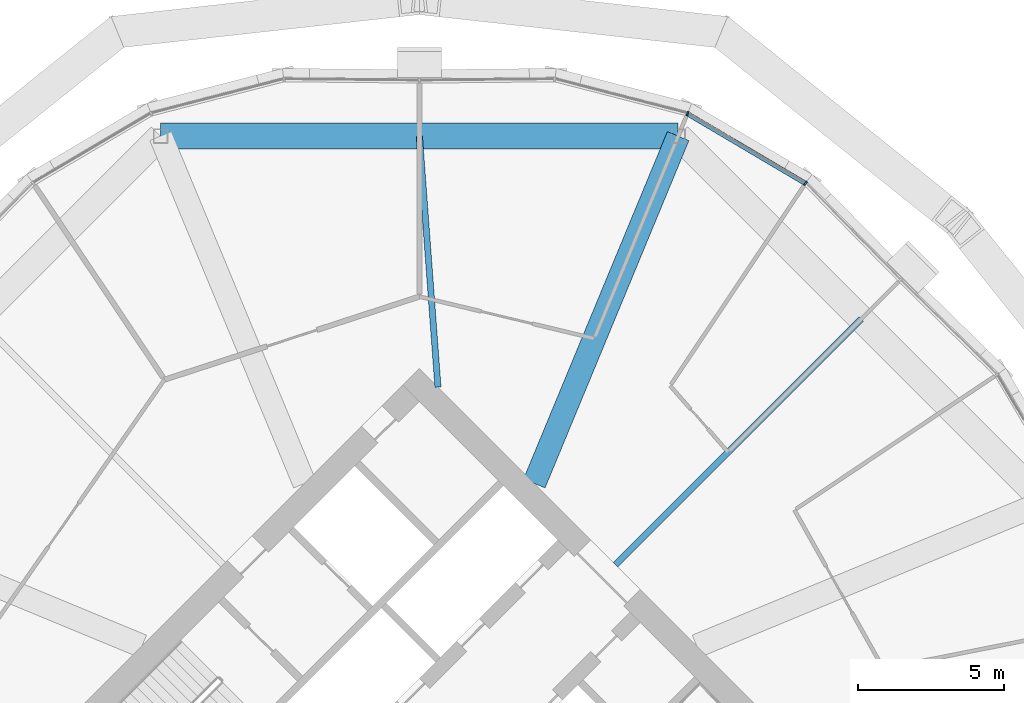
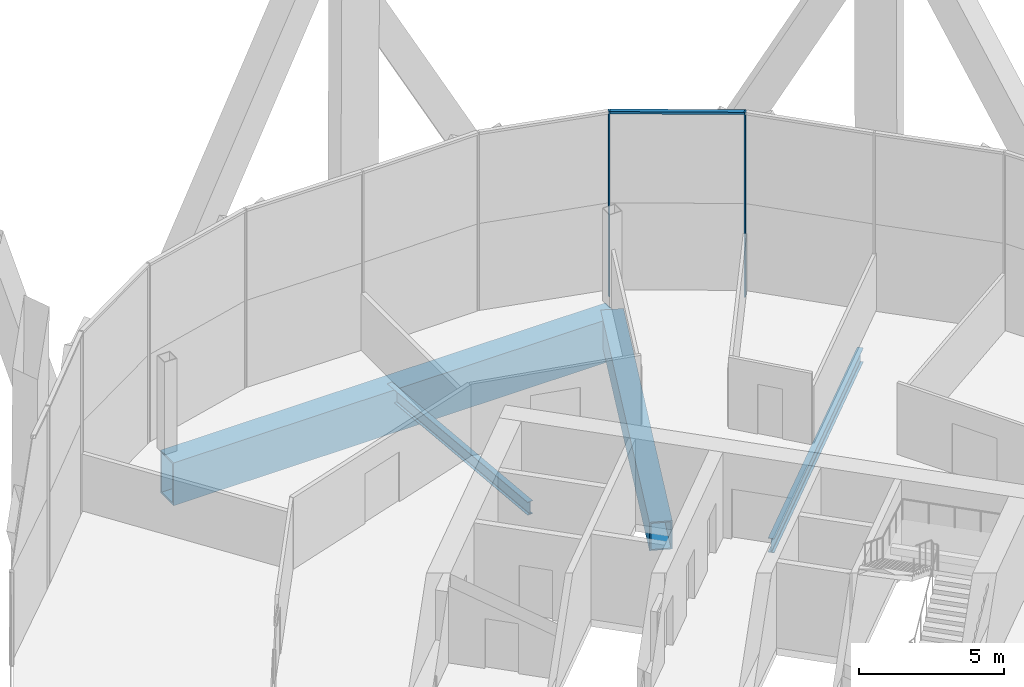
# One storey, part 15 of 30: 4 beams, 3 members, 1 element without a shape of its own.
"""IFC4 building model written with IfcOpenShell, lengths in metres."""

from ifc_helpers import new_model, si_unit, direction, frame, origin, origin_2d, place, context, subcontext, project, spatial, rectangle, hollow_rectangle, i_section, extrude, material, material_profile, profile_set, type_object, element, aggregate, save


model = new_model("IFC4")

# Units and contexts
model_context = context("Model", 3, precision=1e-05, world=origin(), true_north=direction((0.0, 1.0)))
body_context = subcontext(model_context, "Body", "Model", "MODEL_VIEW")
ifc_project = project(units=[si_unit("LENGTHUNIT", "METRE"), si_unit("AREAUNIT", "SQUARE_METRE"), si_unit("VOLUMEUNIT", "CUBIC_METRE"), si_unit("PLANEANGLEUNIT", "RADIAN"), si_unit("MASSUNIT", "GRAM", prefix="KILO")], contexts=[model_context])

# Site, building, storey
site_placement = place(None, origin())
site = spatial("IfcSite", under=ifc_project, at=site_placement, CompositionType="ELEMENT")
building_placement = place(site_placement, origin())
building = spatial("IfcBuilding", under=site, at=building_placement, Name="Ogive Gate Towers", CompositionType="ELEMENT")
storey_placement = place(building_placement, frame((0.0, 0.0, 99.60009765625)))
storey = spatial("IfcBuildingStorey", under=building, at=storey_placement, Name="L23", CompositionType="ELEMENT", Elevation=99.60009765625)

# Beams
ifc_material_1 = material(Name="Steel SM460", Category="steel")
ifc_material_profile_1 = material_profile(ifc_material_1, hollow_rectangle(XDim=0.89990234375, YDim=1.800048828125, WallThickness=0.080078125, at=origin_2d()), Name="BX 1800x900x80")
ifc_profile_set_1 = profile_set([ifc_material_profile_1], Name="Steel SM460")
beam_type_1 = type_object("IfcBeamType", Name="Edge girder BX 1800x900x80", PredefinedType="BEAM", material=ifc_profile_set_1)
beam_1_placement = place(storey_placement, frame((44.863037109375, 21.39697265625, -1.2001953125), z_axis=(-1.0, 0.0, 0.0), x_axis=(0.0, -1.0, 0.0)))
element("IfcBeam", 1, at=beam_1_placement, inside=storey, type_object=beam_type_1, Name="T2/L23/SBM022", PredefinedType="BEAM", context=body_context, shape_type="SweptSolid", body=[
    extrude(hollow_rectangle(XDim=0.89990234375, YDim=1.800048828125, WallThickness=0.080078125, at=origin_2d()), origin(), (0.0, 0.0, 1.0), 17.72607421875),
])
ifc_material_2 = material(Name="Steel SM355", Category="steel")
ifc_material_profile_2 = material_profile(ifc_material_2, i_section(OverallWidth=0.2099609375, OverallDepth=0.550048828125, WebThickness=0.010986328125, FlangeThickness=0.01708984375, FilletRadius=0.02392578125, at=origin_2d()), Name="IPE 550")
ifc_profile_set_2 = profile_set([ifc_material_profile_2], Name="Steel SM355")
beam_type_2 = type_object("IfcBeamType", Name="Radial floor beam IPE 550", PredefinedType="BEAM", material=ifc_profile_set_2)
beam_2_placement = place(storey_placement, frame((36.636474609375, 12.798583984375, -0.5751953125), z_axis=(-0.07382057702, 0.997271538954, 0.0), x_axis=(-0.997271538954, -0.07382057702, 0.0)))
element("IfcBeam", 2, at=beam_2_placement, inside=storey, type_object=beam_type_2, Name="T2/L23/SBM012", PredefinedType="BEAM", context=body_context, shape_type="SweptSolid", body=[
    extrude(i_section(OverallWidth=0.2099609375, OverallDepth=0.550048828125, WebThickness=0.010986328125, FlangeThickness=0.01708984375, FilletRadius=0.02392578125, at=origin_2d()), origin(), (0.0, 0.0, 1.0), 8.621826171875),
])
ifc_material_profile_3 = material_profile(ifc_material_2, i_section(OverallWidth=0.219970703125, OverallDepth=0.60009765625, WebThickness=0.011962890625, FlangeThickness=0.01904296875, FilletRadius=0.02392578125, at=origin_2d()), Name="IPE 600")
ifc_profile_set_3 = profile_set([ifc_material_profile_3], Name="Steel SM355")
beam_type_3 = type_object("IfcBeamType", Name="Radial floor beam IPE 600", PredefinedType="BEAM", material=ifc_profile_set_3)
beam_3_placement = place(storey_placement, frame((42.717529296875, 6.717529296875, -0.60009765625), z_axis=(0.707106781187, 0.707106781187, 0.0), x_axis=(-0.707106781187, 0.707106781187, 0.0)))
element("IfcBeam", 3, at=beam_3_placement, inside=storey, type_object=beam_type_3, Name="T2/L23/SBM010", PredefinedType="BEAM", context=body_context, shape_type="SweptSolid", body=[
    extrude(i_section(OverallWidth=0.219970703125, OverallDepth=0.60009765625, WebThickness=0.011962890625, FlangeThickness=0.01904296875, FilletRadius=0.02392578125, at=origin_2d()), origin(), (0.0, 0.0, 1.0), 11.89697265625),
])

# Curtain wall, members
ifc_material_3 = material(Name="Pale metal aluminium", Category="aluminium")
curtain_wall_type = type_object("IfcCurtainWallType", Name="Tower unitised wall, low zone", PredefinedType="NOTDEFINED", material=ifc_material_3)
curtain_wall_placement = place(storey_placement, origin())
curtain_wall = element("IfcCurtainWall", 4, at=curtain_wall_placement, inside=storey, type_object=curtain_wall_type, Name="CW1 T2 ECW02", PredefinedType="NOTDEFINED")
ifc_material_profile_4 = material_profile(ifc_material_3, rectangle(XDim=0.159912109375, YDim=0.06005859375, at=origin_2d()), Name="60 x 160 aluminium box")
ifc_profile_set_4 = profile_set([ifc_material_profile_4], Name="Pale metal aluminium")
member_type_1 = type_object("IfcMemberType", Name="Tower unitised wall, low zone mullion 60 x 160", PredefinedType="MULLION", material=ifc_profile_set_4)
member_1_placement = place(storey_placement, frame((49.222412109375, 19.77783203125, -0.300048828125), z_axis=(0.0, 0.0, 1.0), x_axis=(0.616458855912, 0.787387121413, 0.0)))
member_1 = element("IfcMember", 5, at=member_1_placement, type_object=member_type_1, Name="CW1 mullion", PredefinedType="MULLION", context=body_context, shape_type="SweptSolid", body=[
    extrude(rectangle(XDim=0.159912109375, YDim=0.06005859375, at=origin_2d()), origin(), (0.0, 0.0, 1.0), 7.800048828125),
])
member_2_placement = place(storey_placement, frame((45.180908203125, 22.164794921875, -0.300048828125), z_axis=(0.0, 0.0, 1.0), x_axis=(0.382683432365, 0.923879532511, 0.0)))
member_2 = element("IfcMember", 6, at=member_2_placement, type_object=member_type_1, Name="CW1 mullion", PredefinedType="MULLION", context=body_context, shape_type="SweptSolid", body=[
    extrude(rectangle(XDim=0.159912109375, YDim=0.06005859375, at=origin_2d()), origin(), (0.0, 0.0, 1.0), 7.800048828125),
])
ifc_material_profile_5 = material_profile(ifc_material_3, rectangle(XDim=0.159912109375, YDim=0.10009765625, at=origin_2d()), Name="100 x 160 aluminium box")
ifc_profile_set_5 = profile_set([ifc_material_profile_5], Name="Pale metal aluminium")
member_type_2 = type_object("IfcMemberType", Name="Tower unitised wall, low zone transom 100 x 160", PredefinedType="USERDEFINED", material=ifc_profile_set_5)
member_3_placement = place(storey_placement, frame((49.19873046875, 19.79150390625, 7.449951171875), z_axis=(-0.861015568373, 0.508578598665, 0.0), x_axis=(-0.508578598665, -0.861015568373, 0.0)))
member_3 = element("IfcMember", 7, at=member_3_placement, type_object=member_type_2, Name="CW1 transom", ObjectType="TRANSOM", PredefinedType="USERDEFINED", context=body_context, shape_type="SweptSolid", body=[
    extrude(rectangle(XDim=0.159912109375, YDim=0.10009765625, at=origin_2d()), origin(), (0.0, 0.0, 1.0), 4.63916015625),
])
aggregate(curtain_wall, [member_1, member_2, member_3])

# Beam
ifc_material_profile_6 = material_profile(ifc_material_1, hollow_rectangle(XDim=0.800048828125, YDim=1.199951171875, WallThickness=0.050048828125, at=origin_2d()), Name="BX 1200x800x50")
ifc_profile_set_6 = profile_set([ifc_material_profile_6], Name="Steel SM460")
beam_type_4 = type_object("IfcBeamType", Name="Transfer radial beam BX 1200x800x50", PredefinedType="BEAM", material=ifc_profile_set_6)
beam_4_placement = place(storey_placement, frame((39.93505859375, 9.5, -0.900146484375), z_axis=(0.382689470177, 0.923877031545, 0.0), x_axis=(-0.923877031545, 0.382689470177, 0.0)))
element("IfcBeam", 8, at=beam_4_placement, inside=storey, type_object=beam_type_4, Name="T2/L23/SBM011", PredefinedType="BEAM", context=body_context, shape_type="SweptSolid", body=[
    extrude(hollow_rectangle(XDim=0.800048828125, YDim=1.199951171875, WallThickness=0.050048828125, at=origin_2d()), origin(), (0.0, 0.0, 1.0), 12.877197265625),
])

save(model, "model.ifc")
